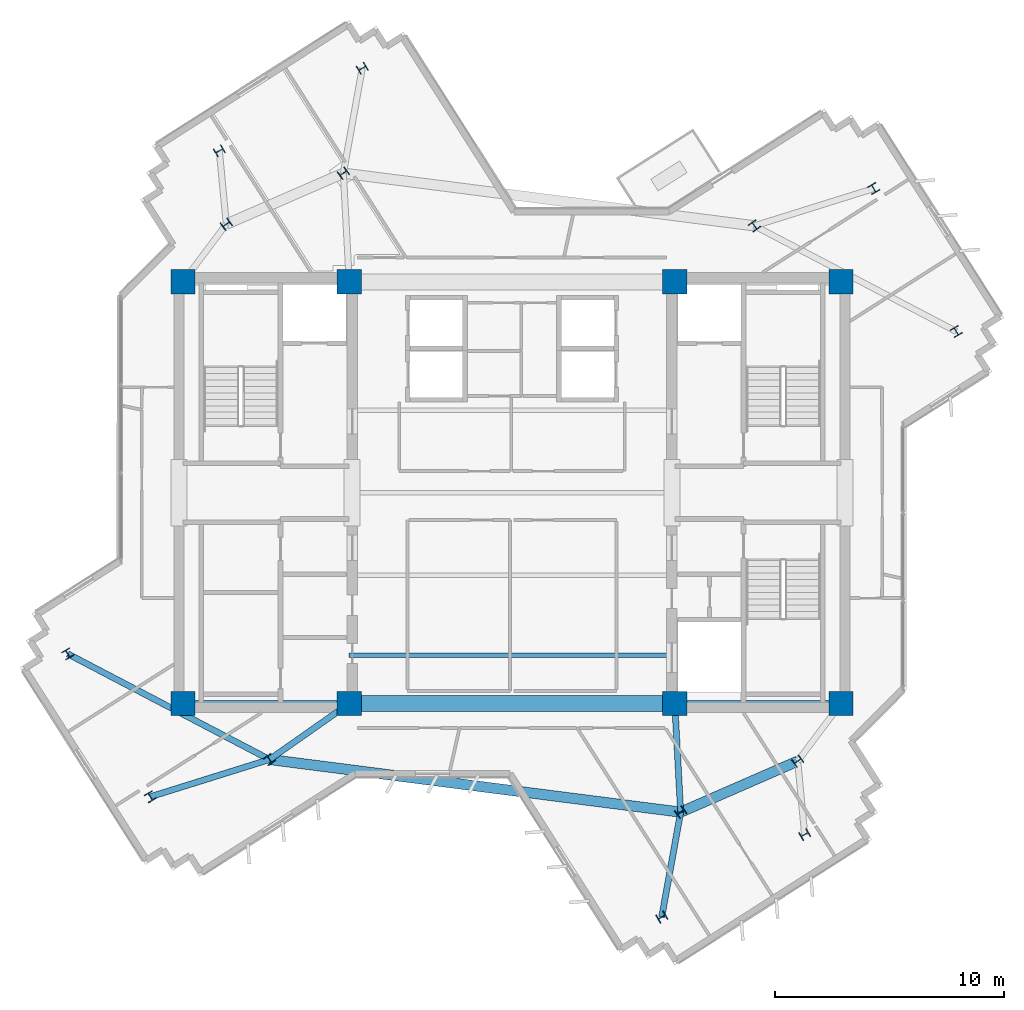
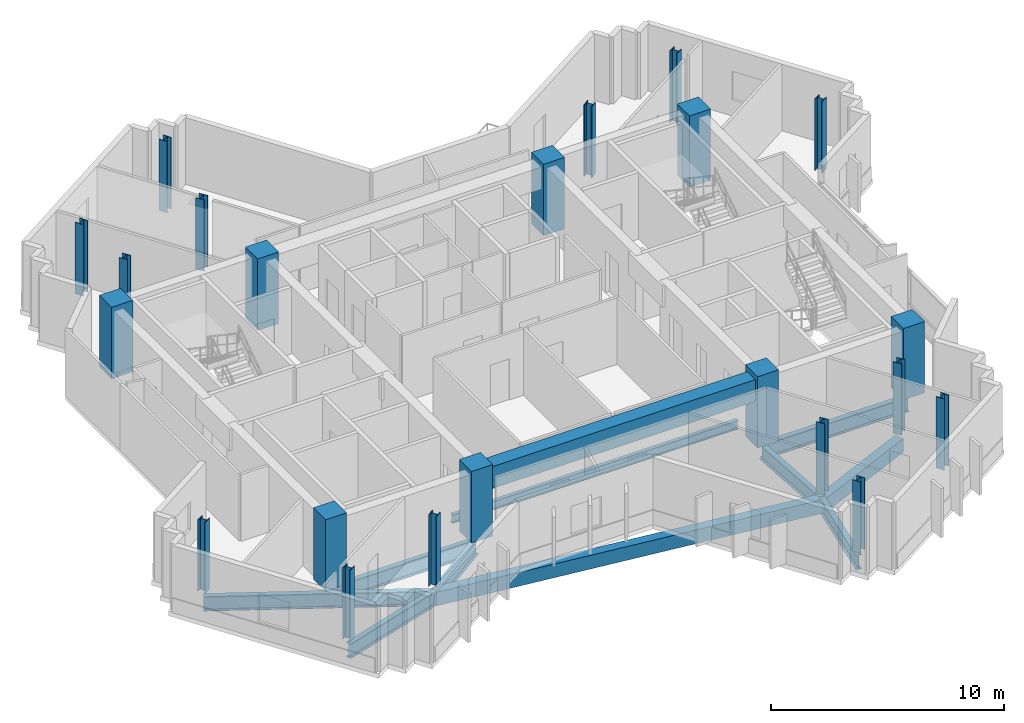
# One storey, part 1 of 12: 22 columns, 11 beams.
"""IFC4 building model written with IfcOpenShell, lengths in metres."""

from ifc_helpers import new_model, si_unit, direction, frame, origin, origin_2d, place, context, subcontext, project, spatial, rectangle, i_section, extrude, source, transform, mapped, material, material_profile, profile_set, type_object, element, save


model = new_model("IFC4")

# Units and contexts
model_context = context("Model", 3, precision=1e-05, world=origin(), true_north=direction((0.0, 1.0)))
body_context = subcontext(model_context, "Body", "Model", "MODEL_VIEW")
ifc_project = project(units=[si_unit("LENGTHUNIT", "METRE"), si_unit("AREAUNIT", "SQUARE_METRE"), si_unit("VOLUMEUNIT", "CUBIC_METRE"), si_unit("PLANEANGLEUNIT", "RADIAN"), si_unit("MASSUNIT", "GRAM", prefix="KILO")], contexts=[model_context])

# Site, building, storey
site_placement = place(None, origin())
site = spatial("IfcSite", under=ifc_project, at=site_placement, CompositionType="ELEMENT")
building_placement = place(site_placement, origin())
building = spatial("IfcBuilding", under=site, at=building_placement, Name="Zahravan Cultural Tower", CompositionType="ELEMENT")
storey_placement = place(building_placement, frame((0.0, 0.0, 269.10009765625)))
storey = spatial("IfcBuildingStorey", under=building, at=storey_placement, Name="L64", CompositionType="ELEMENT", Elevation=269.10009765625)

# Columns
ifc_material_1 = material(Name="Concrete C50/60", Category="concrete")
ifc_material_profile_1 = material_profile(ifc_material_1, rectangle(XDim=1.050048828125, YDim=1.050048828125, at=origin_2d()), Name="RC1050X1050")
ifc_profile_set_1 = profile_set([ifc_material_profile_1], Name="Concrete C50/60")
column_type_1 = type_object("IfcColumnType", Name="COL-RC1050", PredefinedType="COLUMN", material=ifc_profile_set_1)
shared_shape_1 = source(origin(), body_context, "Body", "SweptSolid", [
    extrude(rectangle(XDim=1.050048828125, YDim=1.050048828125, at=origin_2d()), origin(), (0.0, 0.0, 1.0), 3.75),
])
for number, where, z_axis, x_axis, name in (
    (1, (21.64990234375, 17.800048828125, 0.0), (0.0, 0.0, 1.0), (1.0, 0.0, 0.0), "L64 Column CC-W1"),
    (2, (28.89990234375, 17.800048828125, 0.0), (0.0, 0.0, 1.0), (1.0, 0.0, 0.0), "L64 Column CC-W2"),
    (3, (21.64990234375, 36.199951171875, 0.0), (0.0, 0.0, 1.0), (1.0, 0.0, 0.0), "L64 Column CC-W3"),
    (4, (28.89990234375, 36.199951171875, 0.0), (0.0, 0.0, 1.0), (1.0, 0.0, 0.0), "L64 Column CC-W4"),
    (5, (43.10009765625, 17.800048828125, 0.0), (0.0, 0.0, 1.0), (1.0, 0.0, 0.0), "L64 Column CC-E1"),
    (6, (50.35009765625, 17.800048828125, 0.0), (0.0, 0.0, 1.0), (1.0, 0.0, 0.0), "L64 Column CC-E2"),
    (7, (43.10009765625, 36.199951171875, 0.0), (0.0, 0.0, 1.0), (1.0, 0.0, 0.0), "L64 Column CC-E3"),
    (8, (50.35009765625, 36.199951171875, 0.0), (0.0, 0.0, 1.0), (1.0, 0.0, 0.0), "L64 Column CC-E4"),
):
    element("IfcColumn", number, at=place(storey_placement, frame(where, z_axis=z_axis, x_axis=x_axis)), inside=storey, type_object=column_type_1, Name=name, PredefinedType="COLUMN", context=body_context, shape_type="MappedRepresentation", body=[
        mapped(shared_shape_1, transform((0.0, 0.0, 0.0), x_axis=(1.0, 0.0, 0.0), y_axis=(0.0, 1.0, 0.0), z_axis=(0.0, 0.0, 1.0), scale=1.0)),
    ])
ifc_material_2 = material(Name="Steel ASTM A992 Grade 50", Category="steel")
ifc_material_profile_2 = material_profile(ifc_material_2, i_section(OverallWidth=0.39892578125, OverallDepth=0.385986328125, WebThickness=0.02099609375, FlangeThickness=0.033203125, FilletRadius=0.01806640625, at=origin_2d()), Name="W14X176")
ifc_profile_set_2 = profile_set([ifc_material_profile_2], Name="Steel ASTM A992 Grade 50")
column_type_2 = type_object("IfcColumnType", Name="COL-W14X176", PredefinedType="COLUMN", material=ifc_profile_set_2)
shared_shape_2 = source(origin(), body_context, "Body", "SweptSolid", [
    extrude(i_section(OverallWidth=0.39892578125, OverallDepth=0.385986328125, WebThickness=0.02099609375, FlangeThickness=0.033203125, FilletRadius=0.01806640625, at=origin_2d()), origin(), (0.0, 0.0, 1.0), 3.75),
])
for number, where, z_axis, x_axis, name in (
    (9, (46.577880859375, 38.640625, 0.0), (0.0, 0.0, 1.0), (0.809016994375, 0.587785252292, 0.0), "L64 Column Z3C-E2"),
    (10, (28.642578125, 40.937255859375, 0.0), (0.0, 0.0, 1.0), (-0.587785252292, 0.809016994375, 0.0), "L64 Column Z3C-N1"),
    (11, (23.536376953125, 38.710693359375, 0.0), (0.0, 0.0, 1.0), (-0.587785252292, 0.809016994375, 0.0), "L64 Column Z3C-N2"),
    (12, (25.422119140625, 15.359375, 0.0), (0.0, 0.0, 1.0), (0.809016994375, 0.587785252292, 0.0), "L64 Column Z3C-W2"),
    (13, (43.357421875, 13.062744140625, 0.0), (0.0, 0.0, 1.0), (-0.587785252292, 0.809016994375, 0.0), "L64 Column Z3C-S1"),
    (14, (48.463623046875, 15.289306640625, 0.0), (0.0, 0.0, 1.0), (-0.587785252292, 0.809016994375, 0.0), "L64 Column Z3C-S2"),
    (15, (55.38037109375, 34.0322265625, 0.0), (0.0, 0.0, 1.0), (0.866025403784, 0.5, 0.0), "L64 Column Z3T-E1"),
    (16, (51.7802734375, 40.267578125, 0.0), (0.0, 0.0, 1.0), (0.866025403784, 0.5, 0.0), "L64 Column Z3T-E2"),
    (17, (29.4677734375, 45.514404296875, 0.0), (0.0, 0.0, 1.0), (-0.5, 0.866025403784, 0.0), "L64 Column Z3T-N1"),
    (18, (23.232421875, 41.914306640625, 0.0), (0.0, 0.0, 1.0), (-0.5, 0.866025403784, 0.0), "L64 Column Z3T-N2"),
    (19, (16.61962890625, 19.9677734375, 0.0), (0.0, 0.0, 1.0), (0.866025403784, 0.5, 0.0), "L64 Column Z3T-W1"),
    (20, (20.2197265625, 13.732421875, 0.0), (0.0, 0.0, 1.0), (0.866025403784, 0.5, 0.0), "L64 Column Z3T-W2"),
    (21, (42.5322265625, 8.485595703125, 0.0), (0.0, 0.0, 1.0), (-0.5, 0.866025403784, 0.0), "L64 Column Z3T-S1"),
    (22, (48.767578125, 12.085693359375, 0.0), (0.0, 0.0, 1.0), (-0.5, 0.866025403784, 0.0), "L64 Column Z3T-S2"),
):
    element("IfcColumn", number, at=place(storey_placement, frame(where, z_axis=z_axis, x_axis=x_axis)), inside=storey, type_object=column_type_2, Name=name, PredefinedType="COLUMN", context=body_context, shape_type="MappedRepresentation", body=[
        mapped(shared_shape_2, transform((0.0, 0.0, 0.0), x_axis=(1.0, 0.0, 0.0), y_axis=(0.0, 1.0, 0.0), z_axis=(0.0, 0.0, 1.0), scale=1.0)),
    ])

# Beams
ifc_material_profile_3 = material_profile(ifc_material_1, rectangle(XDim=0.699951171875, YDim=1.14990234375, at=origin_2d()), Name="RC700X1150")
ifc_profile_set_3 = profile_set([ifc_material_profile_3], Name="Concrete C50/60")
beam_type_1 = type_object("IfcBeamType", Name="BM-LN-RC700X1150", PredefinedType="LINTEL", material=ifc_profile_set_3)
shared_shape_3 = source(origin(), body_context, "Body", "SweptSolid", [
    extrude(rectangle(XDim=0.699951171875, YDim=1.14990234375, at=origin_2d()), origin(), (0.0, 0.0, 1.0), 14.2001953125),
])
beam_1_placement = place(storey_placement, frame((28.89990234375, 17.800048828125, 2.9248046875), z_axis=(1.0, 0.0, 0.0), x_axis=(0.0, 1.0, 0.0)))
element("IfcBeam", 23, at=beam_1_placement, inside=storey, type_object=beam_type_1, Name="L64 Beam LN-L64-S", PredefinedType="LINTEL", context=body_context, shape_type="MappedRepresentation", body=[
    mapped(shared_shape_3, transform((0.0, 0.0, 0.0), x_axis=(1.0, 0.0, 0.0), y_axis=(0.0, 1.0, 0.0), z_axis=(0.0, 0.0, 1.0), scale=1.0)),
])
ifc_material_profile_4 = material_profile(ifc_material_2, i_section(OverallWidth=0.26611328125, OverallDepth=0.780029296875, WebThickness=0.0166015625, FlangeThickness=0.030029296875, FilletRadius=0.01904296875, at=origin_2d()), Name="W30X148")
ifc_profile_set_4 = profile_set([ifc_material_profile_4], Name="Steel ASTM A992 Grade 50")
beam_type_2 = type_object("IfcBeamType", Name="BM-G-W30X148", PredefinedType="BEAM", material=ifc_profile_set_4)
shared_shape_4 = source(origin(), body_context, "Body", "SweptSolid", [
    extrude(i_section(OverallWidth=0.26611328125, OverallDepth=0.780029296875, WebThickness=0.0166015625, FlangeThickness=0.030029296875, FilletRadius=0.01904296875, at=origin_2d()), origin(), (0.0, 0.0, 1.0), 7.25),
])
for number, where, z_axis, x_axis, name in (
    (24, (21.64990234375, 17.800048828125, -0.64013671875), (1.0, 0.0, 0.0), (0.0, 1.0, 0.0), "L64 Beam BG-L64-01"),
    (25, (43.10009765625, 17.800048828125, -0.64013671875), (1.0, 0.0, 0.0), (0.0, 1.0, 0.0), "L64 Beam BG-L64-04"),
):
    element("IfcBeam", number, at=place(storey_placement, frame(where, z_axis=z_axis, x_axis=x_axis)), inside=storey, type_object=beam_type_2, Name=name, PredefinedType="BEAM", context=body_context, shape_type="MappedRepresentation", body=[
        mapped(shared_shape_4, transform((0.0, 0.0, 0.0), x_axis=(1.0, 0.0, 0.0), y_axis=(0.0, 1.0, 0.0), z_axis=(0.0, 0.0, 1.0), scale=1.0)),
    ])
ifc_material_profile_5 = material_profile(ifc_material_2, i_section(OverallWidth=0.26708984375, OverallDepth=0.761962890625, WebThickness=0.014404296875, FlangeThickness=0.021484375, FilletRadius=0.01904296875, at=origin_2d()), Name="W30X116")
ifc_profile_set_5 = profile_set([ifc_material_profile_5], Name="Steel ASTM A992 Grade 50")
beam_type_3 = type_object("IfcBeamType", Name="BM-G-W30X116", PredefinedType="BEAM", material=ifc_profile_set_5)
shared_shape_5 = source(origin(), body_context, "Body", "SweptSolid", [
    extrude(i_section(OverallWidth=0.26708984375, OverallDepth=0.761962890625, WebThickness=0.014404296875, FlangeThickness=0.021484375, FilletRadius=0.01904296875, at=origin_2d()), origin(), (0.0, 0.0, 1.0), 4.248779296875),
])
beam_2_placement = place(storey_placement, frame((28.89990234375, 17.800048828125, -0.631103515625), z_axis=(-0.81854294596, -0.574445337365, 0.0), x_axis=(0.574445337365, -0.81854294596, 0.0)))
element("IfcBeam", 26, at=beam_2_placement, inside=storey, type_object=beam_type_3, Name="L64 Beam BG-L64-07", PredefinedType="BEAM", context=body_context, shape_type="MappedRepresentation", body=[
    mapped(shared_shape_5, transform((0.0, 0.0, 0.0), x_axis=(1.0, 0.0, 0.0), y_axis=(0.0, 1.0, 0.0), z_axis=(0.0, 0.0, 1.0), scale=1.0)),
])
shared_shape_6 = source(origin(), body_context, "Body", "SweptSolid", [
    extrude(i_section(OverallWidth=0.26708984375, OverallDepth=0.761962890625, WebThickness=0.014404296875, FlangeThickness=0.021484375, FilletRadius=0.01904296875, at=origin_2d()), origin(), (0.0, 0.0, 1.0), 4.744384765625),
])
beam_3_placement = place(storey_placement, frame((43.10009765625, 17.800048828125, -0.631103515625), z_axis=(0.054238739845, -0.998527996152, 0.0), x_axis=(0.998527996152, 0.054238739845, 0.0)))
element("IfcBeam", 27, at=beam_3_placement, inside=storey, type_object=beam_type_3, Name="L64 Beam BG-L64-08", PredefinedType="BEAM", context=body_context, shape_type="MappedRepresentation", body=[
    mapped(shared_shape_6, transform((0.0, 0.0, 0.0), x_axis=(1.0, 0.0, 0.0), y_axis=(0.0, 1.0, 0.0), z_axis=(0.0, 0.0, 1.0), scale=1.0)),
])
shared_shape_7 = source(origin(), body_context, "Body", "SweptSolid", [
    extrude(i_section(OverallWidth=0.26708984375, OverallDepth=0.761962890625, WebThickness=0.014404296875, FlangeThickness=0.021484375, FilletRadius=0.01904296875, at=origin_2d()), origin(), (0.0, 0.0, 1.0), 9.935791015625),
])
beam_4_placement = place(storey_placement, frame((25.422119140625, 15.359375, -0.631103515625), z_axis=(-0.885932031042, 0.463815088558, 0.0), x_axis=(-0.463815088558, -0.885932031042, 0.0)))
element("IfcBeam", 28, at=beam_4_placement, inside=storey, type_object=beam_type_3, Name="L64 Beam BG-L64-16", PredefinedType="BEAM", context=body_context, shape_type="MappedRepresentation", body=[
    mapped(shared_shape_7, transform((0.0, 0.0, 0.0), x_axis=(1.0, 0.0, 0.0), y_axis=(0.0, 1.0, 0.0), z_axis=(0.0, 0.0, 1.0), scale=1.0)),
])
shared_shape_8 = source(origin(), body_context, "Body", "SweptSolid", [
    extrude(i_section(OverallWidth=0.26708984375, OverallDepth=0.761962890625, WebThickness=0.014404296875, FlangeThickness=0.021484375, FilletRadius=0.01904296875, at=origin_2d()), origin(), (0.0, 0.0, 1.0), 5.450927734375),
])
beam_5_placement = place(storey_placement, frame((25.422119140625, 15.359375, -0.631103515625), z_axis=(-0.954416996605, -0.298476459025, 0.0), x_axis=(0.298476459025, -0.954416996605, 0.0)))
element("IfcBeam", 29, at=beam_5_placement, inside=storey, type_object=beam_type_3, Name="L64 Beam BG-L64-17", PredefinedType="BEAM", context=body_context, shape_type="MappedRepresentation", body=[
    mapped(shared_shape_8, transform((0.0, 0.0, 0.0), x_axis=(1.0, 0.0, 0.0), y_axis=(0.0, 1.0, 0.0), z_axis=(0.0, 0.0, 1.0), scale=1.0)),
])
shared_shape_9 = source(origin(), body_context, "Body", "SweptSolid", [
    extrude(i_section(OverallWidth=0.26708984375, OverallDepth=0.761962890625, WebThickness=0.014404296875, FlangeThickness=0.021484375, FilletRadius=0.01904296875, at=origin_2d()), origin(), (0.0, 0.0, 1.0), 4.65087890625),
])
beam_6_placement = place(storey_placement, frame((43.357421875, 13.062744140625, -0.631103515625), z_axis=(-0.177425522697, -0.984134230629, 0.0), x_axis=(0.984134230629, -0.177425522697, 0.0)))
element("IfcBeam", 30, at=beam_6_placement, inside=storey, type_object=beam_type_3, Name="L64 Beam BG-L64-18", PredefinedType="BEAM", context=body_context, shape_type="MappedRepresentation", body=[
    mapped(shared_shape_9, transform((0.0, 0.0, 0.0), x_axis=(1.0, 0.0, 0.0), y_axis=(0.0, 1.0, 0.0), z_axis=(0.0, 0.0, 1.0), scale=1.0)),
])
ifc_material_3 = material(Name="Concrete C45/55", Category="concrete")
ifc_material_profile_6 = material_profile(ifc_material_3, rectangle(XDim=0.449951171875, YDim=0.719970703125, at=origin_2d()), Name="RC450X720")
ifc_profile_set_6 = profile_set([ifc_material_profile_6], Name="Concrete C45/55")
beam_type_4 = type_object("IfcBeamType", Name="BM-SP-RC450X720", PredefinedType="SPANDREL", material=ifc_profile_set_6)
shared_shape_10 = source(origin(), body_context, "Body", "SweptSolid", [
    extrude(rectangle(XDim=0.449951171875, YDim=0.719970703125, at=origin_2d()), origin(), (0.0, 0.0, 1.0), 18.081787109375),
])
beam_7_placement = place(storey_placement, frame((25.422119140625, 15.359375, -0.610107421875), z_axis=(0.991900954377, -0.127013765812, 0.0), x_axis=(0.127013765812, 0.991900954377, 0.0)))
element("IfcBeam", 31, at=beam_7_placement, inside=storey, type_object=beam_type_4, Name="L64 Beam SP-L64-20", PredefinedType="SPANDREL", context=body_context, shape_type="MappedRepresentation", body=[
    mapped(shared_shape_10, transform((0.0, 0.0, 0.0), x_axis=(1.0, 0.0, 0.0), y_axis=(0.0, 1.0, 0.0), z_axis=(0.0, 0.0, 1.0), scale=1.0)),
])
shared_shape_11 = source(origin(), body_context, "Body", "SweptSolid", [
    extrude(rectangle(XDim=0.449951171875, YDim=0.719970703125, at=origin_2d()), origin(), (0.0, 0.0, 1.0), 5.570556640625),
])
beam_8_placement = place(storey_placement, frame((43.357421875, 13.062744140625, -0.610107421875), z_axis=(0.9166445026, 0.399703459896, 0.0), x_axis=(-0.399703459896, 0.9166445026, 0.0)))
element("IfcBeam", 32, at=beam_8_placement, inside=storey, type_object=beam_type_4, Name="L64 Beam SP-L64-21", PredefinedType="SPANDREL", context=body_context, shape_type="MappedRepresentation", body=[
    mapped(shared_shape_11, transform((0.0, 0.0, 0.0), x_axis=(1.0, 0.0, 0.0), y_axis=(0.0, 1.0, 0.0), z_axis=(0.0, 0.0, 1.0), scale=1.0)),
])
ifc_material_profile_7 = material_profile(ifc_material_2, i_section(OverallWidth=0.18994140625, OverallDepth=0.45703125, WebThickness=0.009033203125, FlangeThickness=0.014404296875, FilletRadius=0.012939453125, at=origin_2d()), Name="W18X50")
ifc_profile_set_7 = profile_set([ifc_material_profile_7], Name="Steel ASTM A992 Grade 50")
beam_type_5 = type_object("IfcBeamType", Name="BM-J-W18X50", PredefinedType="JOIST", material=ifc_profile_set_7)
shared_shape_12 = source(origin(), body_context, "Body", "SweptSolid", [
    extrude(i_section(OverallWidth=0.18994140625, OverallDepth=0.45703125, WebThickness=0.009033203125, FlangeThickness=0.014404296875, FilletRadius=0.012939453125, at=origin_2d()), origin(), (0.0, 0.0, 1.0), 14.2001953125),
])
beam_9_placement = place(storey_placement, frame((28.89990234375, 19.89990234375, -0.478515625), z_axis=(1.0, 0.0, 0.0), x_axis=(0.0, 1.0, 0.0)))
element("IfcBeam", 33, at=beam_9_placement, inside=storey, type_object=beam_type_5, Name="L64 Beam BJ-L64-24", PredefinedType="JOIST", context=body_context, shape_type="MappedRepresentation", body=[
    mapped(shared_shape_12, transform((0.0, 0.0, 0.0), x_axis=(1.0, 0.0, 0.0), y_axis=(0.0, 1.0, 0.0), z_axis=(0.0, 0.0, 1.0), scale=1.0)),
])

save(model, "model.ifc")
